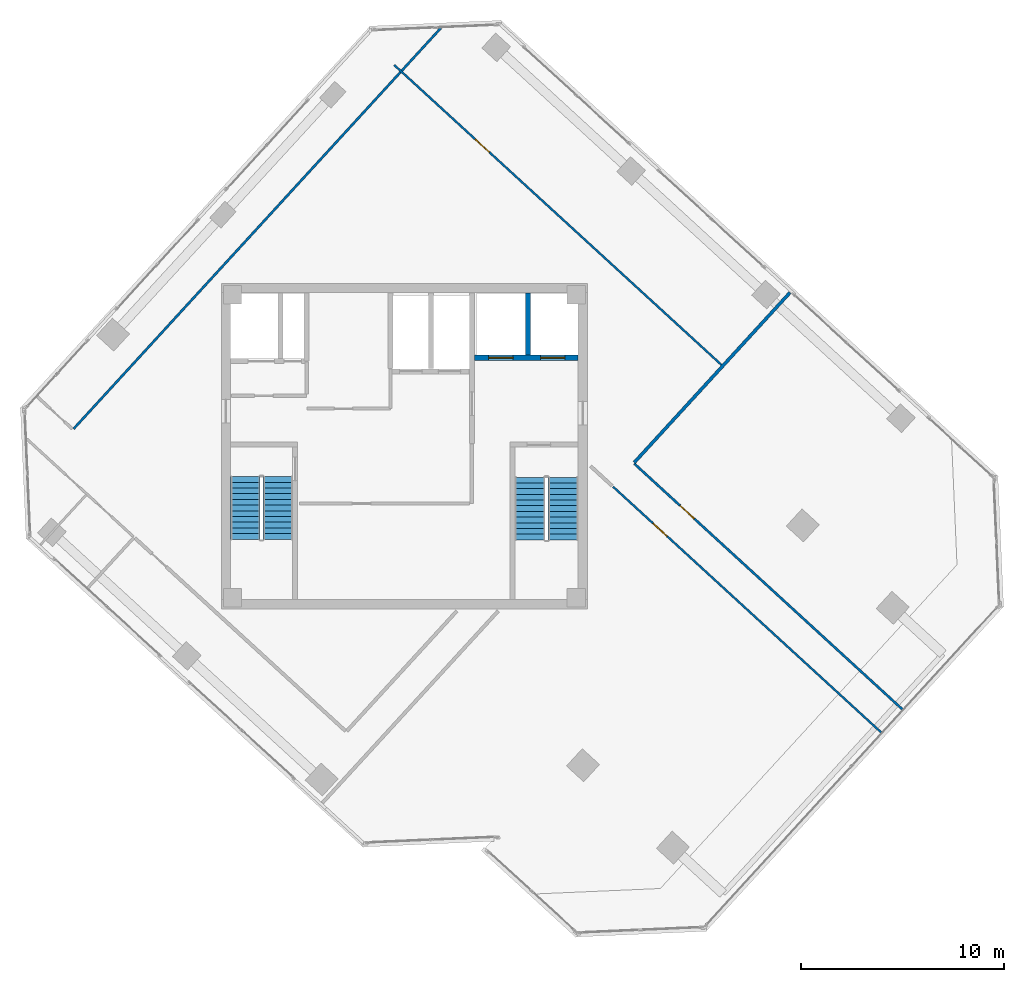
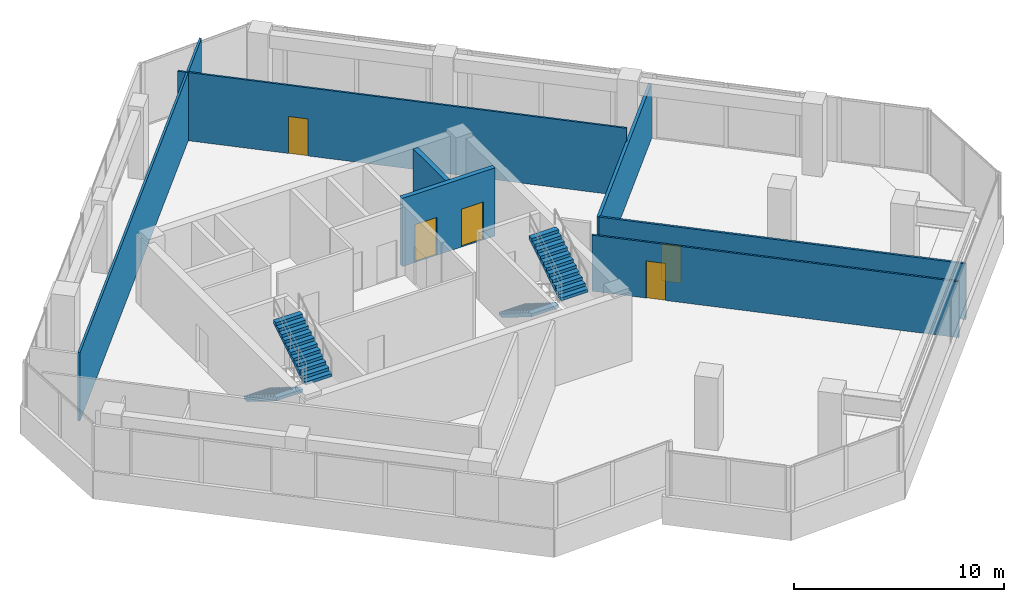
# One storey, part 15 of 18: 7 walls, 5 doors, 4 stair flights, 5 openings, 2 elements without a shape of their own.
"""IFC4 building model written with IfcOpenShell, lengths in metres."""

from ifc_helpers import new_model, si_unit, direction, frame, frame_2d, origin, place, context, subcontext, project, spatial, polyline, rectangle, outline, extrude, source, transform, mapped, material, layer, layer_set, type_object, element, fill, aggregate, save


model = new_model("IFC4")

# Units and contexts
model_context = context("Model", 3, precision=1e-05, world=origin(), true_north=direction((0.0, 1.0)))
body_context = subcontext(model_context, "Body", "Model", "MODEL_VIEW")
ifc_project = project(units=[si_unit("LENGTHUNIT", "METRE"), si_unit("AREAUNIT", "SQUARE_METRE"), si_unit("VOLUMEUNIT", "CUBIC_METRE"), si_unit("PLANEANGLEUNIT", "RADIAN"), si_unit("MASSUNIT", "GRAM", prefix="KILO")], contexts=[model_context])

# Site, building, storey
site_placement = place(None, origin())
site = spatial("IfcSite", under=ifc_project, at=site_placement, CompositionType="ELEMENT")
building_placement = place(site_placement, origin())
building = spatial("IfcBuilding", under=site, at=building_placement, Name="Torre Montelarca", CompositionType="ELEMENT")
storey_placement = place(building_placement, frame((0.0, 0.0, 233.199951171875)))
storey = spatial("IfcBuildingStorey", under=building, at=storey_placement, Name="L52", CompositionType="ELEMENT", Elevation=233.199951171875)

# Wall, openings, doors
ifc_material_1 = material(Name="Concrete C40/50", Category="concrete")
ifc_layer_1 = layer(ifc_material_1, 0.25, Name="Concrete C40/50", Category="concrete")
ifc_layer_set_1 = layer_set([ifc_layer_1], Name="Concrete C40/50")
wall_type_1 = type_object("IfcWallType", Name="CW-SHAFT-250", PredefinedType="SHEAR", material=ifc_layer_set_1)
wall_1_placement = place(storey_placement, frame((21.449951171875, 36.35009765625, 0.0), z_axis=(0.0, 0.0, 1.0), x_axis=(1.0, 0.0, 0.0)))
wall_1 = element("IfcWall", 1, at=wall_1_placement, inside=storey, type_object=wall_type_1, Name="L52 Core Shear Wall SH-FF-S", PredefinedType="SHEAR", context=body_context, shape_type="SweptSolid", body=[
    extrude(rectangle(XDim=5.090087890625, YDim=0.25, at=frame_2d((2.544921875, 0.0))), origin(), (0.0, 0.0, 1.0), 3.9599609375),
])
opening_1_placement = place(wall_1_placement, frame((0.699951171875, 0.0, 0.0)))
opening_1 = element("IfcOpeningElement", 2, at=opening_1_placement, cuts=wall_1, Name="Opening LD-120", PredefinedType="OPENING", context=body_context, shape_type="SweptSolid", body=[
    extrude(rectangle(XDim=1.199951171875, YDim=2.199951171875, at=frame_2d((0.60009765625, 1.10009765625))), frame((0.0, 0.135009765625, 0.0), z_axis=(0.0, -1.0, 0.0), x_axis=(1.0, 0.0, 0.0)), (0.0, 0.0, 1.0), 0.27001953125),
])
opening_2_placement = place(wall_1_placement, frame((3.25, 0.0, 0.0)))
opening_2 = element("IfcOpeningElement", 3, at=opening_2_placement, cuts=wall_1, Name="Opening LD-120", PredefinedType="OPENING", context=body_context, shape_type="SweptSolid", body=[
    extrude(rectangle(XDim=1.199951171875, YDim=2.199951171875, at=frame_2d((0.60009765625, 1.10009765625))), frame((0.0, 0.135009765625, 0.0), z_axis=(0.0, -1.0, 0.0), x_axis=(1.0, 0.0, 0.0)), (0.0, 0.0, 1.0), 0.27001953125),
])
ifc_material_2 = material(Name="Brushed stainless steel AISI 316", Category="steel")
door_type_1 = type_object("IfcDoorType", Name="DR-LIFT-120", OperationType="SLIDING_TO_RIGHT", PredefinedType="DOOR", material=ifc_material_2)
shared_shape_1 = source(origin(), body_context, "Body", "SweptSolid", [
    extrude(rectangle(XDim=1.199951171875, YDim=2.199951171875, at=frame_2d((0.60009765625, 1.10009765625))), frame((0.0, 0.02490234375, 0.0), z_axis=(0.0, -1.0, 0.0), x_axis=(1.0, 0.0, 0.0)), (0.0, 0.0, 1.0), 0.050048828125),
])
door_1_placement = place(opening_1_placement, origin())
door_1 = element("IfcDoor", 4, at=door_1_placement, inside=storey, type_object=door_type_1, Name="L52 Lift Landing Sliding Door FF-1", OperationType="SLIDING_TO_LEFT", OverallHeight=2.199951171875, OverallWidth=1.199951171875, PredefinedType="DOOR", context=body_context, shape_type="MappedRepresentation", body=[
    mapped(shared_shape_1, transform((0.0, 0.0, 0.0), scale=1.0)),
])
fill(opening_1, door_1)
door_2_placement = place(opening_2_placement, origin())
door_2 = element("IfcDoor", 5, at=door_2_placement, inside=storey, type_object=door_type_1, Name="L52 Lift Landing Sliding Door FF-2", OperationType="SLIDING_TO_RIGHT", OverallHeight=2.199951171875, OverallWidth=1.199951171875, PredefinedType="DOOR", context=body_context, shape_type="MappedRepresentation", body=[
    mapped(shared_shape_1, transform((0.0, 0.0, 0.0), scale=1.0)),
])
fill(opening_2, door_2)

# Walls
wall_2_placement = place(storey_placement, frame((24.080078125, 36.47998046875, 0.0), z_axis=(0.0, 0.0, 1.0), x_axis=(0.0, 1.0, 0.0)))
element("IfcWall", 6, at=wall_2_placement, inside=storey, type_object=wall_type_1, Name="L52 Core Shear Wall SH-FF-M", PredefinedType="SHEAR", context=body_context, shape_type="SweptSolid", body=[
    extrude(rectangle(XDim=3.06005859375, YDim=0.25, at=frame_2d((1.530029296875, 0.0))), origin(), (0.0, 0.0, 1.0), 3.9599609375),
])
ifc_material_3 = material(Name="Gypsum plasterboard on steel stud", Category="steel")
ifc_layer_2 = layer(ifc_material_3, 0.159912109375, Name="Gypsum plasterboard on steel stud", Category="steel")
ifc_layer_set_2 = layer_set([ifc_layer_2], Name="Gypsum plasterboard on steel stud")
wall_type_2 = type_object("IfcWallType", Name="PW-FIRE-160", PredefinedType="PARTITIONING", material=ifc_layer_set_2)
wall_3_placement = place(storey_placement, frame((29.306640625, 31.194091796875, 0.0), z_axis=(0.0, 0.0, 1.0), x_axis=(0.67558228032, 0.73728460076, 0.0)))
element("IfcWall", 7, at=wall_3_placement, inside=storey, type_object=wall_type_2, Name="L52 Interior Partition W-L52-ECN", PredefinedType="PARTITIONING", context=body_context, shape_type="SweptSolid", body=[
    extrude(rectangle(XDim=11.340087890625, YDim=0.159912109375, at=frame_2d((5.669921875, 0.0))), origin(), (0.0, 0.0, 1.0), 3.195068359375),
])

# Wall, opening, door
ifc_material_4 = material(Name="Acoustic laminated glass partition", Category="glass")
ifc_layer_3 = layer(ifc_material_4, 0.10009765625, Name="Acoustic laminated glass partition", Category="glass")
ifc_layer_set_3 = layer_set([ifc_layer_3], Name="Acoustic laminated glass partition")
wall_type_3 = type_object("IfcWallType", Name="PW-GLAZ-100", PredefinedType="PARTITIONING", material=ifc_layer_set_3)
wall_4_placement = place(storey_placement, frame((17.503662109375, 50.744384765625, 0.0), z_axis=(0.0, 0.0, 1.0), x_axis=(0.737277850523, -0.675589646996, 0.0)))
wall_4 = element("IfcWall", 8, at=wall_4_placement, inside=storey, type_object=wall_type_3, Name="L52 Interior Partition W-L52-NBOT", PredefinedType="PARTITIONING", context=body_context, shape_type="SweptSolid", body=[
    extrude(rectangle(XDim=21.8701171875, YDim=0.10009765625, at=frame_2d((10.93505859375, 0.0))), origin(), (0.0, 0.0, 1.0), 3.9599609375),
])
opening_3_placement = place(wall_4_placement, frame((5.39990234375, 0.0, 0.0)))
opening_3 = element("IfcOpeningElement", 9, at=opening_3_placement, cuts=wall_4, Name="Opening ID-095", PredefinedType="OPENING", context=body_context, shape_type="SweptSolid", body=[
    extrude(rectangle(XDim=0.949951171875, YDim=2.14990234375, at=frame_2d((0.47509765625, 1.074951171875))), frame((0.0, 0.06005859375, 0.0), z_axis=(0.0, -1.0, 0.0), x_axis=(1.0, 0.0, 0.0)), (0.0, 0.0, 1.0), 0.1201171875),
])
ifc_material_5 = material(Name="Hardwood acoustic timber veneer", Category="wood")
door_type_2 = type_object("IfcDoorType", Name="DR-INT-095", OperationType="NOTDEFINED", PredefinedType="DOOR", material=ifc_material_5)
shared_shape_2 = source(origin(), body_context, "Body", "SweptSolid", [
    extrude(rectangle(XDim=0.949951171875, YDim=2.14990234375, at=frame_2d((0.47509765625, 1.074951171875))), frame((0.0, 0.02490234375, 0.0), z_axis=(0.0, -1.0, 0.0), x_axis=(1.0, 0.0, 0.0)), (0.0, 0.0, 1.0), 0.050048828125),
])
door_3_placement = place(opening_3_placement, origin())
door_3 = element("IfcDoor", 10, at=door_3_placement, inside=storey, type_object=door_type_2, Name="L52 Interior Door 07", OperationType="SINGLE_SWING_LEFT", OverallHeight=2.14990234375, OverallWidth=0.949951171875, PredefinedType="DOOR", context=body_context, shape_type="MappedRepresentation", body=[
    mapped(shared_shape_2, transform((0.0, 0.0, 0.0), scale=1.0)),
])
fill(opening_3, door_3)

wall_5_placement = place(storey_placement, frame((28.268798828125, 30.002197265625, 0.0), z_axis=(0.0, 0.0, 1.0), x_axis=(0.737272587758, -0.67559539026, 0.0)))
wall_5 = element("IfcWall", 11, at=wall_5_placement, inside=storey, type_object=wall_type_3, Name="L52 Interior Partition W-L52-SE-N", PredefinedType="PARTITIONING", context=body_context, shape_type="SweptSolid", body=[
    extrude(rectangle(XDim=17.8798828125, YDim=0.10009765625, at=frame_2d((8.93994140625, 0.0))), origin(), (0.0, 0.0, 1.0), 3.25244140625),
])
opening_4_placement = place(wall_5_placement, frame((2.64990234375, 0.0, 0.0)))
opening_4 = element("IfcOpeningElement", 12, at=opening_4_placement, cuts=wall_5, Name="Opening ID-095", PredefinedType="OPENING", context=body_context, shape_type="SweptSolid", body=[
    extrude(rectangle(XDim=0.949951171875, YDim=2.14990234375, at=frame_2d((0.47509765625, 1.074951171875))), frame((0.0, 0.06005859375, 0.0), z_axis=(0.0, -1.0, 0.0), x_axis=(1.0, 0.0, 0.0)), (0.0, 0.0, 1.0), 0.1201171875),
])
door_4_placement = place(opening_4_placement, origin())
door_4 = element("IfcDoor", 13, at=door_4_placement, inside=storey, type_object=door_type_2, Name="L52 Interior Door 10", OperationType="SINGLE_SWING_LEFT", OverallHeight=2.14990234375, OverallWidth=0.949951171875, PredefinedType="DOOR", context=body_context, shape_type="MappedRepresentation", body=[
    mapped(shared_shape_2, transform((0.0, 0.0, 0.0), scale=1.0)),
])
fill(opening_4, door_4)

# Wall
ifc_layer_4 = layer(ifc_material_3, 0.114990234375, Name="Gypsum plasterboard on steel stud", Category="steel")
ifc_layer_set_4 = layer_set([ifc_layer_4], Name="Gypsum plasterboard on steel stud")
wall_type_4 = type_object("IfcWallType", Name="PW-PART-115", PredefinedType="PARTITIONING", material=ifc_layer_set_4)
wall_6_placement = place(storey_placement, frame((1.72998046875, 32.849609375, 0.0), z_axis=(0.0, 0.0, 1.0), x_axis=(0.675589845589, 0.737277668546, 0.0)))
element("IfcWall", 14, at=wall_6_placement, inside=storey, type_object=wall_type_4, Name="L52 Interior Partition W-L52-WPKE", PredefinedType="PARTITIONING", context=body_context, shape_type="SweptSolid", body=[
    extrude(rectangle(XDim=26.741943359375, YDim=0.114990234375, at=frame_2d((13.37109375, 0.0))), origin(), (0.0, 0.0, 1.0), 3.9599609375),
])

# Wall, opening, door
wall_7_placement = place(storey_placement, frame((29.30908203125, 31.1376953125, 0.0), z_axis=(0.0, 0.0, 1.0), x_axis=(0.737278819957, -0.675588589041, 0.0)))
wall_7 = element("IfcWall", 15, at=wall_7_placement, inside=storey, type_object=wall_type_4, Name="L52 Interior Partition W-L52-NE-S", PredefinedType="PARTITIONING", context=body_context, shape_type="SweptSolid", body=[
    extrude(rectangle(XDim=17.880126953125, YDim=0.114990234375, at=frame_2d((8.93994140625, 0.0))), origin(), (0.0, 0.0, 1.0), 3.25244140625),
])
opening_5_placement = place(wall_7_placement, frame((3.050048828125, 0.0, 0.0)))
opening_5 = element("IfcOpeningElement", 16, at=opening_5_placement, cuts=wall_7, Name="Opening ID-095", PredefinedType="OPENING", context=body_context, shape_type="SweptSolid", body=[
    extrude(rectangle(XDim=0.949951171875, YDim=2.14990234375, at=frame_2d((0.47509765625, 1.074951171875))), frame((0.0, 0.0673828125, 0.0), z_axis=(0.0, -1.0, 0.0), x_axis=(1.0, 0.0, 0.0)), (0.0, 0.0, 1.0), 0.135009765625),
])
door_5_placement = place(opening_5_placement, origin())
door_5 = element("IfcDoor", 17, at=door_5_placement, inside=storey, type_object=door_type_2, Name="L52 Interior Door 09", OperationType="SINGLE_SWING_LEFT", OverallHeight=2.14990234375, OverallWidth=0.949951171875, PredefinedType="DOOR", context=body_context, shape_type="MappedRepresentation", body=[
    mapped(shared_shape_2, transform((0.0, 0.0, 0.0), scale=1.0)),
])
fill(opening_5, door_5)

# Stair, stair flights
stair_type_1 = type_object("IfcStairType", Name="ST-CORE-ST1", PredefinedType="HALF_TURN_STAIR", material=ifc_material_1)
stair_1_placement = place(storey_placement, origin())
stair_1 = element("IfcStair", 18, at=stair_1_placement, inside=storey, type_object=stair_type_1, Name="L52 Protected Exit Stair ST1", PredefinedType="HALF_TURN_STAIR")
stair_flight_type_1 = type_object("IfcStairFlightType", Name="SFL-CORE-ST1", PredefinedType="STRAIGHT", material=ifc_material_1)
stair_flight_1_placement = place(storey_placement, frame((10.175048828125, 30.5, 0.0), z_axis=(0.0, 0.0, 1.0), x_axis=(0.0, -1.0, 0.0)))
stair_flight_1 = element("IfcStairFlight", 19, at=stair_flight_1_placement, type_object=stair_flight_type_1, Name="ST1 flight 1", NumberOfRisers=12, NumberOfTreads=11, PredefinedType="STRAIGHT", RiserHeight=0.175, TreadLength=0.28, context=body_context, shape_type="SweptSolid", body=[
    extrude(outline(polyline([(0.0, 0.0), (0.0, 0.175048828125), (0.280029296875, 0.175048828125), (0.280029296875, 0.35009765625), (0.56005859375, 0.35009765625), (0.56005859375, 0.52490234375), (0.840087890625, 0.52490234375), (0.840087890625, 0.699951171875), (1.1201171875, 0.699951171875), (1.1201171875, 0.875), (1.39990234375, 0.875), (1.39990234375, 1.050048828125), (1.679931640625, 1.050048828125), (1.679931640625, 1.22509765625), (1.9599609375, 1.22509765625), (1.9599609375, 1.39990234375), (2.239990234375, 1.39990234375), (2.239990234375, 1.574951171875), (2.52001953125, 1.574951171875), (2.52001953125, 1.75), (2.800048828125, 1.75), (2.800048828125, 1.925048828125), (3.080078125, 1.925048828125), (3.080078125, 2.10009765625), (3.080078125, 1.748291015625), (0.28271484375, 0.0), (0.0, 0.0)])), frame((0.0, 0.72509765625, 0.0), z_axis=(0.0, -1.0, 0.0), x_axis=(1.0, 0.0, 0.0)), (0.0, 0.0, 1.0), 1.449951171875),
])
stair_flight_2_placement = place(storey_placement, frame((11.77490234375, 27.419921875, 2.10009765625), z_axis=(0.0, 0.0, 1.0), x_axis=(0.0, 1.0, 0.0)))
stair_flight_2 = element("IfcStairFlight", 20, at=stair_flight_2_placement, type_object=stair_flight_type_1, Name="ST1 flight 2", NumberOfRisers=12, NumberOfTreads=11, PredefinedType="STRAIGHT", RiserHeight=0.175, TreadLength=0.28, context=body_context, shape_type="SweptSolid", body=[
    extrude(outline(polyline([(0.0, 0.0), (0.0, 0.175048828125), (0.280029296875, 0.175048828125), (0.280029296875, 0.35009765625), (0.56005859375, 0.35009765625), (0.56005859375, 0.52490234375), (0.840087890625, 0.52490234375), (0.840087890625, 0.699951171875), (1.1201171875, 0.699951171875), (1.1201171875, 0.875), (1.39990234375, 0.875), (1.39990234375, 1.050048828125), (1.679931640625, 1.050048828125), (1.679931640625, 1.22509765625), (1.9599609375, 1.22509765625), (1.9599609375, 1.39990234375), (2.239990234375, 1.39990234375), (2.239990234375, 1.574951171875), (2.52001953125, 1.574951171875), (2.52001953125, 1.75), (2.800048828125, 1.75), (2.800048828125, 1.925048828125), (3.080078125, 1.925048828125), (3.080078125, 2.10009765625), (3.080078125, 1.748291015625), (0.28271484375, 0.0), (0.0, 0.0)])), frame((0.0, 0.72509765625, 0.0), z_axis=(0.0, -1.0, 0.0), x_axis=(1.0, 0.0, 0.0)), (0.0, 0.0, 1.0), 1.449951171875),
])
aggregate(stair_1, [stair_flight_1, stair_flight_2])

stair_type_2 = type_object("IfcStairType", Name="ST-CORE-ST2", PredefinedType="HALF_TURN_STAIR", material=ifc_material_1)
stair_2_placement = place(storey_placement, origin())
stair_2 = element("IfcStair", 21, at=stair_2_placement, inside=storey, type_object=stair_type_2, Name="L52 Protected Exit Stair ST2", PredefinedType="HALF_TURN_STAIR")
stair_flight_type_2 = type_object("IfcStairFlightType", Name="SFL-CORE-ST2", PredefinedType="STRAIGHT", material=ifc_material_1)
stair_flight_3_placement = place(storey_placement, frame((24.179931640625, 30.469970703125, 0.0), z_axis=(0.0, 0.0, 1.0), x_axis=(0.0, -1.0, 0.0)))
stair_flight_3 = element("IfcStairFlight", 22, at=stair_flight_3_placement, type_object=stair_flight_type_2, Name="ST2 flight 1", NumberOfRisers=12, NumberOfTreads=11, PredefinedType="STRAIGHT", RiserHeight=0.175, TreadLength=0.28, context=body_context, shape_type="SweptSolid", body=[
    extrude(outline(polyline([(0.0, 0.0), (0.0, 0.175048828125), (0.280029296875, 0.175048828125), (0.280029296875, 0.35009765625), (0.56005859375, 0.35009765625), (0.56005859375, 0.52490234375), (0.840087890625, 0.52490234375), (0.840087890625, 0.699951171875), (1.1201171875, 0.699951171875), (1.1201171875, 0.875), (1.39990234375, 0.875), (1.39990234375, 1.050048828125), (1.679931640625, 1.050048828125), (1.679931640625, 1.22509765625), (1.9599609375, 1.22509765625), (1.9599609375, 1.39990234375), (2.239990234375, 1.39990234375), (2.239990234375, 1.574951171875), (2.52001953125, 1.574951171875), (2.52001953125, 1.75), (2.800048828125, 1.75), (2.800048828125, 1.925048828125), (3.080078125, 1.925048828125), (3.080078125, 2.10009765625), (3.080078125, 1.748291015625), (0.28271484375, 0.0), (0.0, 0.0)])), frame((0.0, 0.739990234375, 0.0), z_axis=(0.0, -1.0, 0.0), x_axis=(1.0, 0.0, 0.0)), (0.0, 0.0, 1.0), 1.47998046875),
])
stair_flight_4_placement = place(storey_placement, frame((25.81005859375, 27.389892578125, 2.10009765625), z_axis=(0.0, 0.0, 1.0), x_axis=(0.0, 1.0, 0.0)))
stair_flight_4 = element("IfcStairFlight", 23, at=stair_flight_4_placement, type_object=stair_flight_type_2, Name="ST2 flight 2", NumberOfRisers=12, NumberOfTreads=11, PredefinedType="STRAIGHT", RiserHeight=0.175, TreadLength=0.28, context=body_context, shape_type="SweptSolid", body=[
    extrude(outline(polyline([(0.0, 0.0), (0.0, 0.175048828125), (0.280029296875, 0.175048828125), (0.280029296875, 0.35009765625), (0.56005859375, 0.35009765625), (0.56005859375, 0.52490234375), (0.840087890625, 0.52490234375), (0.840087890625, 0.699951171875), (1.1201171875, 0.699951171875), (1.1201171875, 0.875), (1.39990234375, 0.875), (1.39990234375, 1.050048828125), (1.679931640625, 1.050048828125), (1.679931640625, 1.22509765625), (1.9599609375, 1.22509765625), (1.9599609375, 1.39990234375), (2.239990234375, 1.39990234375), (2.239990234375, 1.574951171875), (2.52001953125, 1.574951171875), (2.52001953125, 1.75), (2.800048828125, 1.75), (2.800048828125, 1.925048828125), (3.080078125, 1.925048828125), (3.080078125, 2.10009765625), (3.080078125, 1.748291015625), (0.28271484375, 0.0), (0.0, 0.0)])), frame((0.0, 0.739990234375, 0.0), z_axis=(0.0, -1.0, 0.0), x_axis=(1.0, 0.0, 0.0)), (0.0, 0.0, 1.0), 1.47998046875),
])
aggregate(stair_2, [stair_flight_3, stair_flight_4])

save(model, "model.ifc")
